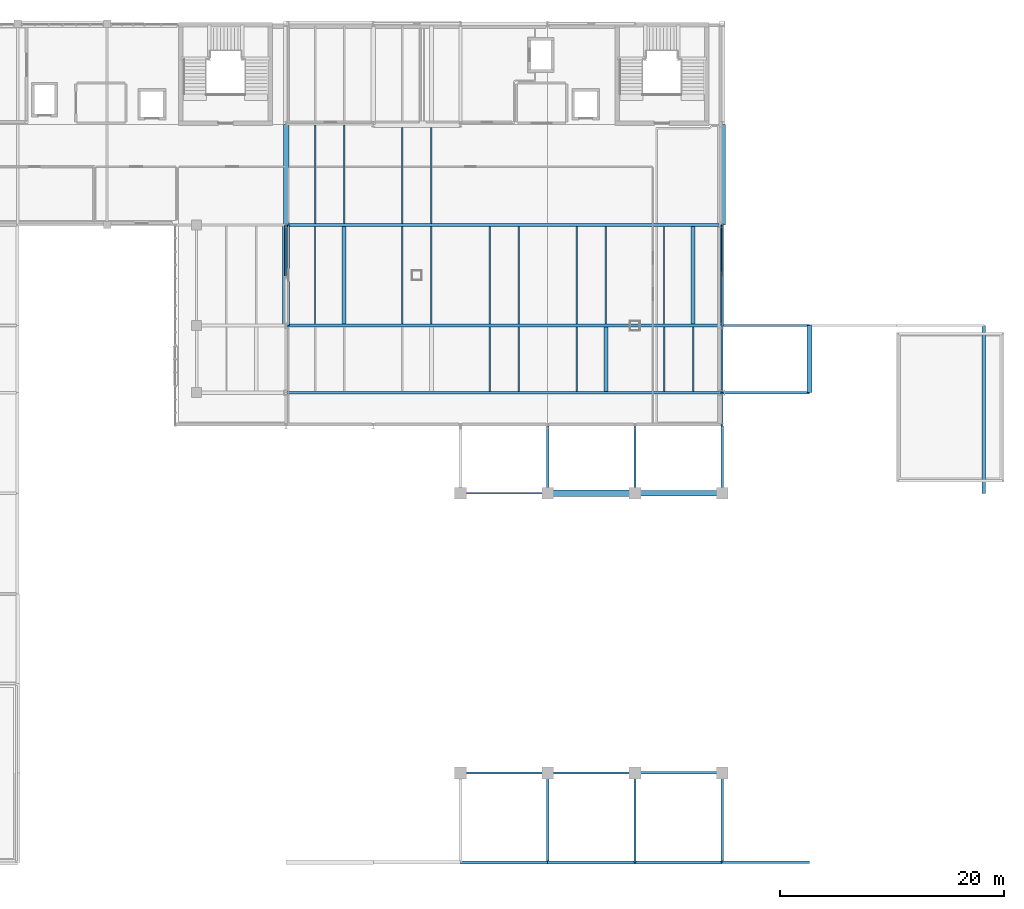
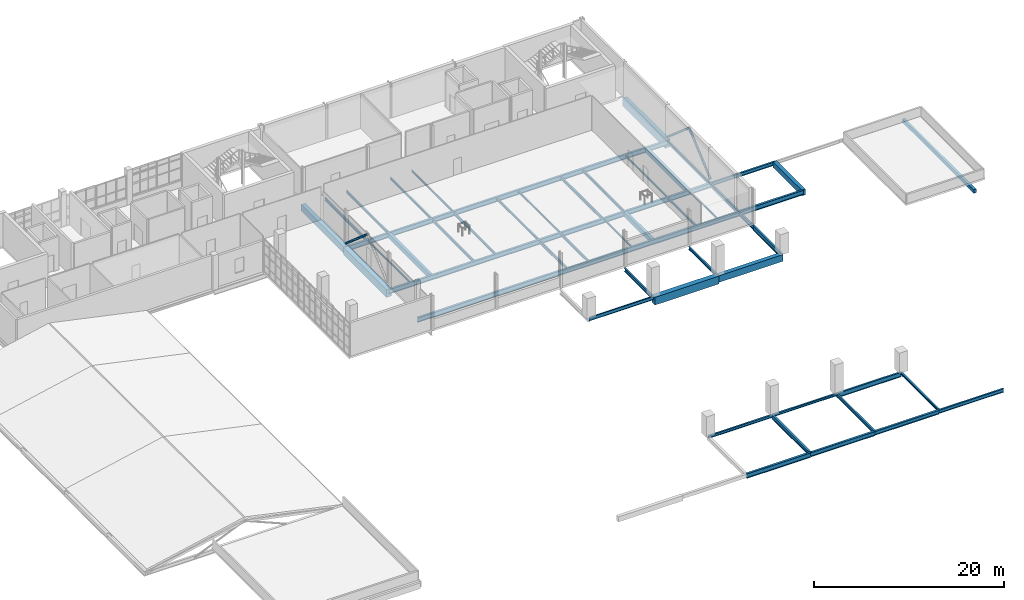
# One storey, part 13 of 38: 49 beams, 3 members.
"""IFC4 building model written with IfcOpenShell, lengths in metres."""

from ifc_helpers import new_model, si_unit, derived_unit, direction, frame, origin, origin_2d, place, context, subcontext, project, spatial, rectangle, hollow_circle, i_section, extrude, material, material_profile, profile_set, type_object, element, save


model = new_model("IFC4")

# Units and contexts
model_context = context("Model", 3, precision=1e-05, world=origin(), true_north=direction((0.0, 1.0)))
body_context = subcontext(model_context, "Body", "Model", "MODEL_VIEW")
ifc_project = project(units=[si_unit("LENGTHUNIT", "METRE"), si_unit("AREAUNIT", "SQUARE_METRE"), si_unit("VOLUMEUNIT", "CUBIC_METRE"), si_unit("PLANEANGLEUNIT", "RADIAN"), si_unit("MASSUNIT", "GRAM", prefix="KILO"), derived_unit("THERMALTRANSMITTANCEUNIT", [(si_unit("POWERUNIT", "WATT"), 1), (si_unit("LENGTHUNIT", "METRE"), -2), (si_unit("THERMODYNAMICTEMPERATUREUNIT", "KELVIN"), -1)])], contexts=[model_context])

# Site, building, storey
site_placement = place(None, origin())
site = spatial("IfcSite", under=ifc_project, at=site_placement, CompositionType="ELEMENT")
building_placement = place(site_placement, origin())
building = spatial("IfcBuilding", under=site, at=building_placement, Name="Nallur Shell Playhouse", CompositionType="ELEMENT")
storey_placement = place(building_placement, frame((0.0, 0.0, 24.300048828125)))
storey = spatial("IfcBuildingStorey", under=building, at=storey_placement, Name="L06", CompositionType="ELEMENT", Elevation=24.300048828125)

# Beams
ifc_material_1 = material(Name="Steel E250", Category="steel")
ifc_material_profile_1 = material_profile(ifc_material_1, i_section(OverallWidth=0.110107421875, OverallDepth=0.22509765625, WebThickness=0.006591796875, FlangeThickness=0.01171875, FilletRadius=0.011962890625, at=origin_2d()), Name="ISMB 225")
ifc_profile_set_1 = profile_set([ifc_material_profile_1], Name="Steel E250")
beam_type_1 = type_object("IfcBeamType", Name="BM-JST-ISMB225", PredefinedType="JOIST", material=ifc_profile_set_1)
beam_1_placement = place(storey_placement, frame((66.60009765625, 56.123046875, -0.362548828125), z_axis=(0.0, 1.0, 0.0), x_axis=(-1.0, 0.0, 0.0)))
element("IfcBeam", 1, at=beam_1_placement, inside=storey, type_object=beam_type_1, Name="L06 secondary joist 8-G-1211", PredefinedType="JOIST", context=body_context, shape_type="SweptSolid", body=[
    extrude(i_section(OverallWidth=0.110107421875, OverallDepth=0.22509765625, WebThickness=0.006591796875, FlangeThickness=0.01171875, FilletRadius=0.011962890625, at=origin_2d()), origin(), (0.0, 0.0, 1.0), 8.75390625),
])
beam_2_placement = place(storey_placement, frame((90.0, 50.123046875, -0.362548828125), z_axis=(0.0, 1.0, 0.0), x_axis=(-1.0, 0.0, 0.0)))
element("IfcBeam", 2, at=beam_2_placement, inside=storey, type_object=beam_type_1, Name="L06 secondary joist 11-F-1229", PredefinedType="JOIST", context=body_context, shape_type="SweptSolid", body=[
    extrude(i_section(OverallWidth=0.110107421875, OverallDepth=0.22509765625, WebThickness=0.006591796875, FlangeThickness=0.01171875, FilletRadius=0.011962890625, at=origin_2d()), origin(), (0.0, 0.0, 1.0), 5.75390625),
])
beam_3_placement = place(storey_placement, frame((97.800048828125, 56.123046875, -0.362548828125), z_axis=(0.0, 1.0, 0.0), x_axis=(-1.0, 0.0, 0.0)))
element("IfcBeam", 3, at=beam_3_placement, inside=storey, type_object=beam_type_1, Name="L06 secondary joist 12-G-1235", PredefinedType="JOIST", context=body_context, shape_type="SweptSolid", body=[
    extrude(i_section(OverallWidth=0.110107421875, OverallDepth=0.22509765625, WebThickness=0.006591796875, FlangeThickness=0.01171875, FilletRadius=0.011962890625, at=origin_2d()), origin(), (0.0, 0.0, 1.0), 8.75390625),
])
ifc_material_profile_2 = material_profile(ifc_material_1, i_section(OverallWidth=0.125, OverallDepth=0.25, WebThickness=0.0068359375, FlangeThickness=0.012451171875, FilletRadius=0.012939453125, at=origin_2d()), Name="ISMB 250")
ifc_profile_set_2 = profile_set([ifc_material_profile_2], Name="Steel E250")
beam_type_2 = type_object("IfcBeamType", Name="BM-JST-ISMB250", PredefinedType="JOIST", material=ifc_profile_set_2)
beam_4_placement = place(storey_placement, frame((77.0, 65.123046875, -0.375), z_axis=(0.0, 1.0, 0.0), x_axis=(-1.0, 0.0, 0.0)))
element("IfcBeam", 4, at=beam_4_placement, inside=storey, type_object=beam_type_2, Name="L06 secondary joist 9-H-1222", PredefinedType="JOIST", context=body_context, shape_type="SweptSolid", body=[
    extrude(i_section(OverallWidth=0.125, OverallDepth=0.25, WebThickness=0.0068359375, FlangeThickness=0.012451171875, FilletRadius=0.012939453125, at=origin_2d()), origin(), (0.0, 0.0, 1.0), 8.578857421875),
])
beam_5_placement = place(storey_placement, frame((84.800048828125, 56.123046875, -0.375), z_axis=(0.0, 1.0, 0.0), x_axis=(-1.0, 0.0, 0.0)))
element("IfcBeam", 5, at=beam_5_placement, inside=storey, type_object=beam_type_2, Name="L06 secondary joist 10-G-1228", PredefinedType="JOIST", context=body_context, shape_type="SweptSolid", body=[
    extrude(i_section(OverallWidth=0.125, OverallDepth=0.25, WebThickness=0.0068359375, FlangeThickness=0.012451171875, FilletRadius=0.012939453125, at=origin_2d()), origin(), (0.0, 0.0, 1.0), 8.75390625),
])
beam_6_placement = place(storey_placement, frame((100.39990234375, 50.123046875, -0.375), z_axis=(0.0, 1.0, 0.0), x_axis=(-1.0, 0.0, 0.0)))
element("IfcBeam", 6, at=beam_6_placement, inside=storey, type_object=beam_type_2, Name="L06 secondary joist 12-F-1234", PredefinedType="JOIST", context=body_context, shape_type="SweptSolid", body=[
    extrude(i_section(OverallWidth=0.125, OverallDepth=0.25, WebThickness=0.0068359375, FlangeThickness=0.012451171875, FilletRadius=0.012939453125, at=origin_2d()), origin(), (0.0, 0.0, 1.0), 5.75390625),
])
ifc_material_profile_3 = material_profile(ifc_material_1, i_section(OverallWidth=0.139892578125, OverallDepth=0.300048828125, WebThickness=0.0078125, FlangeThickness=0.01318359375, FilletRadius=0.013916015625, at=origin_2d()), Name="ISMB 300")
ifc_profile_set_3 = profile_set([ifc_material_profile_3], Name="Steel E250")
beam_type_3 = type_object("IfcBeamType", Name="BM-JST-ISMB300", PredefinedType="JOIST", material=ifc_profile_set_3)
beam_7_placement = place(storey_placement, frame((74.39990234375, 65.123046875, -0.400146484375), z_axis=(0.0, 1.0, 0.0), x_axis=(-1.0, 0.0, 0.0)))
element("IfcBeam", 7, at=beam_7_placement, inside=storey, type_object=beam_type_3, Name="L06 secondary joist 9-H-1221", PredefinedType="JOIST", context=body_context, shape_type="SweptSolid", body=[
    extrude(i_section(OverallWidth=0.139892578125, OverallDepth=0.300048828125, WebThickness=0.0078125, FlangeThickness=0.01318359375, FilletRadius=0.013916015625, at=origin_2d()), origin(), (0.0, 0.0, 1.0), 8.578857421875),
])
beam_8_placement = place(storey_placement, frame((82.199951171875, 56.123046875, -0.400146484375), z_axis=(0.0, 1.0, 0.0), x_axis=(-1.0, 0.0, 0.0)))
element("IfcBeam", 8, at=beam_8_placement, inside=storey, type_object=beam_type_3, Name="L06 secondary joist 10-G-1227", PredefinedType="JOIST", context=body_context, shape_type="SweptSolid", body=[
    extrude(i_section(OverallWidth=0.139892578125, OverallDepth=0.300048828125, WebThickness=0.0078125, FlangeThickness=0.01318359375, FilletRadius=0.013916015625, at=origin_2d()), origin(), (0.0, 0.0, 1.0), 8.75390625),
])
beam_9_placement = place(storey_placement, frame((97.800048828125, 50.123046875, -0.400146484375), z_axis=(0.0, 1.0, 0.0), x_axis=(-1.0, 0.0, 0.0)))
element("IfcBeam", 9, at=beam_9_placement, inside=storey, type_object=beam_type_3, Name="L06 secondary joist 12-F-1233", PredefinedType="JOIST", context=body_context, shape_type="SweptSolid", body=[
    extrude(i_section(OverallWidth=0.139892578125, OverallDepth=0.300048828125, WebThickness=0.0078125, FlangeThickness=0.01318359375, FilletRadius=0.013916015625, at=origin_2d()), origin(), (0.0, 0.0, 1.0), 5.75390625),
])
ifc_material_profile_4 = material_profile(ifc_material_1, i_section(OverallWidth=0.139892578125, OverallDepth=0.35009765625, WebThickness=0.008056640625, FlangeThickness=0.01416015625, FilletRadius=0.013916015625, at=origin_2d()), Name="ISMB 350")
ifc_profile_set_4 = profile_set([ifc_material_profile_4], Name="Steel E250")
beam_type_4 = type_object("IfcBeamType", Name="BM-JST-ISMB350", PredefinedType="JOIST", material=ifc_profile_set_4)
beam_10_placement = place(storey_placement, frame((69.199951171875, 65.123046875, -0.425048828125), z_axis=(0.0, 1.0, 0.0), x_axis=(-1.0, 0.0, 0.0)))
element("IfcBeam", 10, at=beam_10_placement, inside=storey, type_object=beam_type_4, Name="L06 secondary joist 8-H-1214", PredefinedType="JOIST", context=body_context, shape_type="SweptSolid", body=[
    extrude(i_section(OverallWidth=0.139892578125, OverallDepth=0.35009765625, WebThickness=0.008056640625, FlangeThickness=0.01416015625, FilletRadius=0.013916015625, at=origin_2d()), origin(), (0.0, 0.0, 1.0), 8.803955078125),
])
beam_11_placement = place(storey_placement, frame((77.0, 56.123046875, -0.425048828125), z_axis=(0.0, 1.0, 0.0), x_axis=(-1.0, 0.0, 0.0)))
element("IfcBeam", 11, at=beam_11_placement, inside=storey, type_object=beam_type_4, Name="L06 secondary joist 9-G-1220", PredefinedType="JOIST", context=body_context, shape_type="SweptSolid", body=[
    extrude(i_section(OverallWidth=0.139892578125, OverallDepth=0.35009765625, WebThickness=0.008056640625, FlangeThickness=0.01416015625, FilletRadius=0.013916015625, at=origin_2d()), origin(), (0.0, 0.0, 1.0), 8.75390625),
])
beam_12_placement = place(storey_placement, frame((84.800048828125, 50.123046875, -0.425048828125), z_axis=(0.0, 1.0, 0.0), x_axis=(-1.0, 0.0, 0.0)))
element("IfcBeam", 12, at=beam_12_placement, inside=storey, type_object=beam_type_4, Name="L06 secondary joist 10-F-1226", PredefinedType="JOIST", context=body_context, shape_type="SweptSolid", body=[
    extrude(i_section(OverallWidth=0.139892578125, OverallDepth=0.35009765625, WebThickness=0.008056640625, FlangeThickness=0.01416015625, FilletRadius=0.013916015625, at=origin_2d()), origin(), (0.0, 0.0, 1.0), 5.75390625),
])
beam_13_placement = place(storey_placement, frame((92.60009765625, 56.123046875, -0.425048828125), z_axis=(0.0, 1.0, 0.0), x_axis=(-1.0, 0.0, 0.0)))
element("IfcBeam", 13, at=beam_13_placement, inside=storey, type_object=beam_type_4, Name="L06 secondary joist 11-G-1232", PredefinedType="JOIST", context=body_context, shape_type="SweptSolid", body=[
    extrude(i_section(OverallWidth=0.139892578125, OverallDepth=0.35009765625, WebThickness=0.008056640625, FlangeThickness=0.01416015625, FilletRadius=0.013916015625, at=origin_2d()), origin(), (0.0, 0.0, 1.0), 8.75390625),
])
ifc_material_profile_5 = material_profile(ifc_material_1, i_section(OverallWidth=0.139892578125, OverallDepth=0.39990234375, WebThickness=0.0087890625, FlangeThickness=0.01611328125, FilletRadius=0.013916015625, at=origin_2d()), Name="ISMB 400")
ifc_profile_set_5 = profile_set([ifc_material_profile_5], Name="Steel E250")
beam_type_5 = type_object("IfcBeamType", Name="BM-JST-ISMB400", PredefinedType="JOIST", material=ifc_profile_set_5)
beam_14_placement = place(storey_placement, frame((66.60009765625, 65.123046875, -0.449951171875), z_axis=(0.0, 1.0, 0.0), x_axis=(-1.0, 0.0, 0.0)))
element("IfcBeam", 14, at=beam_14_placement, inside=storey, type_object=beam_type_5, Name="L06 secondary joist 8-H-1213", PredefinedType="JOIST", context=body_context, shape_type="SweptSolid", body=[
    extrude(i_section(OverallWidth=0.139892578125, OverallDepth=0.39990234375, WebThickness=0.0087890625, FlangeThickness=0.01611328125, FilletRadius=0.013916015625, at=origin_2d()), origin(), (0.0, 0.0, 1.0), 8.803955078125),
])
beam_15_placement = place(storey_placement, frame((74.39990234375, 56.123046875, -0.449951171875), z_axis=(0.0, 1.0, 0.0), x_axis=(-1.0, 0.0, 0.0)))
element("IfcBeam", 15, at=beam_15_placement, inside=storey, type_object=beam_type_5, Name="L06 secondary joist 9-G-1219", PredefinedType="JOIST", context=body_context, shape_type="SweptSolid", body=[
    extrude(i_section(OverallWidth=0.139892578125, OverallDepth=0.39990234375, WebThickness=0.0087890625, FlangeThickness=0.01611328125, FilletRadius=0.013916015625, at=origin_2d()), origin(), (0.0, 0.0, 1.0), 8.75390625),
])
beam_16_placement = place(storey_placement, frame((82.199951171875, 50.123046875, -0.449951171875), z_axis=(0.0, 1.0, 0.0), x_axis=(-1.0, 0.0, 0.0)))
element("IfcBeam", 16, at=beam_16_placement, inside=storey, type_object=beam_type_5, Name="L06 secondary joist 10-F-1225", PredefinedType="JOIST", context=body_context, shape_type="SweptSolid", body=[
    extrude(i_section(OverallWidth=0.139892578125, OverallDepth=0.39990234375, WebThickness=0.0087890625, FlangeThickness=0.01611328125, FilletRadius=0.013916015625, at=origin_2d()), origin(), (0.0, 0.0, 1.0), 5.75390625),
])
beam_17_placement = place(storey_placement, frame((90.0, 56.123046875, -0.449951171875), z_axis=(0.0, 1.0, 0.0), x_axis=(-1.0, 0.0, 0.0)))
element("IfcBeam", 17, at=beam_17_placement, inside=storey, type_object=beam_type_5, Name="L06 secondary joist 11-G-1231", PredefinedType="JOIST", context=body_context, shape_type="SweptSolid", body=[
    extrude(i_section(OverallWidth=0.139892578125, OverallDepth=0.39990234375, WebThickness=0.0087890625, FlangeThickness=0.01611328125, FilletRadius=0.013916015625, at=origin_2d()), origin(), (0.0, 0.0, 1.0), 8.75390625),
])
ifc_material_2 = material(Name="Concrete M30", Category="concrete")
ifc_material_profile_6 = material_profile(ifc_material_2, rectangle(XDim=0.35009765625, YDim=0.60009765625, at=origin_2d()), Name="RC 350x600")
ifc_profile_set_6 = profile_set([ifc_material_profile_6], Name="Concrete M30")
beam_type_6 = type_object("IfcBeamType", Name="BM-RC-350x600", PredefinedType="JOIST", material=ifc_profile_set_6)
beam_18_placement = place(storey_placement, frame((69.199951171875, 56.123046875, -0.550048828125), z_axis=(0.0, 1.0, 0.0), x_axis=(-1.0, 0.0, 0.0)))
element("IfcBeam", 18, at=beam_18_placement, inside=storey, type_object=beam_type_6, Name="L06 secondary joist 8-G-1212", PredefinedType="JOIST", context=body_context, shape_type="SweptSolid", body=[
    extrude(rectangle(XDim=0.35009765625, YDim=0.60009765625, at=origin_2d()), origin(), (0.0, 0.0, 1.0), 8.75390625),
])
beam_19_placement = place(storey_placement, frame((92.60009765625, 50.123046875, -0.550048828125), z_axis=(0.0, 1.0, 0.0), x_axis=(-1.0, 0.0, 0.0)))
element("IfcBeam", 19, at=beam_19_placement, inside=storey, type_object=beam_type_6, Name="L06 secondary joist 11-F-1230", PredefinedType="JOIST", context=body_context, shape_type="SweptSolid", body=[
    extrude(rectangle(XDim=0.35009765625, YDim=0.60009765625, at=origin_2d()), origin(), (0.0, 0.0, 1.0), 5.75390625),
])
beam_20_placement = place(storey_placement, frame((100.39990234375, 56.123046875, -0.550048828125), z_axis=(0.0, 1.0, 0.0), x_axis=(-1.0, 0.0, 0.0)))
element("IfcBeam", 20, at=beam_20_placement, inside=storey, type_object=beam_type_6, Name="L06 secondary joist 12-G-1236", PredefinedType="JOIST", context=body_context, shape_type="SweptSolid", body=[
    extrude(rectangle(XDim=0.35009765625, YDim=0.60009765625, at=origin_2d()), origin(), (0.0, 0.0, 1.0), 8.75390625),
])
ifc_material_3 = material(Name="Concrete M35", Category="concrete")
ifc_material_profile_7 = material_profile(ifc_material_3, rectangle(XDim=0.449951171875, YDim=0.75, at=origin_2d()), Name="RC 450x750")
ifc_profile_set_7 = profile_set([ifc_material_profile_7], Name="Concrete M35")
beam_type_7 = type_object("IfcBeamType", Name="BM-RC-450x750", PredefinedType="BEAM", material=ifc_profile_set_7)
beam_21_placement = place(storey_placement, frame((110.800048828125, 50.0, -0.625), z_axis=(0.0, 1.0, 0.0), x_axis=(-1.0, 0.0, 0.0)))
element("IfcBeam", 21, at=beam_21_placement, inside=storey, type_object=beam_type_7, Name="L06 girder Y-14-1198", PredefinedType="BEAM", context=body_context, shape_type="SweptSolid", body=[
    extrude(rectangle(XDim=0.449951171875, YDim=0.75, at=origin_2d()), origin(), (0.0, 0.0, 1.0), 6.0),
])
ifc_material_4 = material(Name="Concrete M40", Category="concrete")
ifc_material_profile_8 = material_profile(ifc_material_4, rectangle(XDim=0.5, YDim=0.85009765625, at=origin_2d()), Name="RC 500x850")
ifc_profile_set_8 = profile_set([ifc_material_profile_8], Name="Concrete M40")
beam_type_8 = type_object("IfcBeamType", Name="BM-RC-500x850", PredefinedType="BEAM", material=ifc_profile_set_8)
beam_22_placement = place(storey_placement, frame((95.199951171875, 41.0, -0.675048828125), z_axis=(1.0, 0.0, 0.0), x_axis=(0.0, 1.0, 0.0)))
element("IfcBeam", 22, at=beam_22_placement, inside=storey, type_object=beam_type_8, Name="L06 girder X-E-1133", PredefinedType="BEAM", context=body_context, shape_type="SweptSolid", body=[
    extrude(rectangle(XDim=0.5, YDim=0.85009765625, at=origin_2d()), origin(), (0.0, 0.0, 1.0), 7.800048828125),
])
beam_23_placement = place(storey_placement, frame((64.0, 65.0, -0.675048828125), z_axis=(0.0, 1.0, 0.0), x_axis=(-1.0, 0.0, 0.0)))
element("IfcBeam", 23, at=beam_23_placement, inside=storey, type_object=beam_type_8, Name="L06 girder Y-8-1181", PredefinedType="BEAM", context=body_context, shape_type="SweptSolid", body=[
    extrude(rectangle(XDim=0.5, YDim=0.85009765625, at=origin_2d()), origin(), (0.0, 0.0, 1.0), 9.0),
])
ifc_material_profile_9 = material_profile(ifc_material_4, rectangle(XDim=0.60009765625, YDim=1.0, at=origin_2d()), Name="RC 600x1000")
ifc_profile_set_9 = profile_set([ifc_material_profile_9], Name="Concrete M40")
beam_type_9 = type_object("IfcBeamType", Name="BM-RC-600x1000", PredefinedType="BEAM", material=ifc_profile_set_9)
beam_24_placement = place(storey_placement, frame((87.39990234375, 41.0, -0.75), z_axis=(1.0, 0.0, 0.0), x_axis=(0.0, 1.0, 0.0)))
element("IfcBeam", 24, at=beam_24_placement, inside=storey, type_object=beam_type_9, Name="L06 girder X-E-1132", PredefinedType="BEAM", context=body_context, shape_type="SweptSolid", body=[
    extrude(rectangle(XDim=0.60009765625, YDim=1.0, at=origin_2d()), origin(), (0.0, 0.0, 1.0), 7.800048828125),
])
for number, where, z_axis, x_axis, name in (
    (25, (64.0, 56.0, -0.75), (0.0, 1.0, 0.0), (-1.0, 0.0, 0.0), "L06 girder Y-8-1180"),
    (26, (103.0, 65.0, -0.75), (0.0, 1.0, 0.0), (-1.0, 0.0, 0.0), "L06 girder Y-13-1196"),
):
    element("IfcBeam", number, at=place(storey_placement, frame(where, z_axis=z_axis, x_axis=x_axis)), inside=storey, type_object=beam_type_9, Name=name, PredefinedType="BEAM", context=body_context, shape_type="SweptSolid", body=[
        extrude(rectangle(XDim=0.60009765625, YDim=1.0, at=origin_2d()), origin(), (0.0, 0.0, 1.0), 9.0),
    ])
ifc_material_profile_10 = material_profile(ifc_material_3, rectangle(XDim=0.300048828125, YDim=0.449951171875, at=origin_2d()), Name="RC 300x450")
ifc_profile_set_10 = profile_set([ifc_material_profile_10], Name="Concrete M35")
beam_type_10 = type_object("IfcBeamType", Name="BM-SPN-300x450", PredefinedType="SPANDREL", material=ifc_profile_set_10)
beam_25_placement = place(storey_placement, frame((126.39990234375, 41.0, -0.47509765625), z_axis=(0.0, 1.0, 0.0), x_axis=(-1.0, 0.0, 0.0)))
element("IfcBeam", 27, at=beam_25_placement, inside=storey, type_object=beam_type_10, Name="L06 girder Y-16-1200", PredefinedType="SPANDREL", context=body_context, shape_type="SweptSolid", body=[
    extrude(rectangle(XDim=0.300048828125, YDim=0.449951171875, at=origin_2d()), origin(), (0.0, 0.0, 1.0), 15.0),
])
ifc_material_5 = material(Name="Steel E350", Category="steel")
ifc_material_profile_11 = material_profile(ifc_material_5, i_section(OverallWidth=0.14990234375, OverallDepth=0.449951171875, WebThickness=0.009521484375, FlangeThickness=0.017333984375, FilletRadius=0.014892578125, at=origin_2d()), Name="ISMB 450")
ifc_profile_set_11 = profile_set([ifc_material_profile_11], Name="Steel E350")
beam_type_11 = type_object("IfcBeamType", Name="BM-ST-ISMB450", PredefinedType="BEAM", material=ifc_profile_set_11)
beam_26_placement = place(storey_placement, frame((79.60009765625, 41.0, -0.47509765625), z_axis=(1.0, 0.0, 0.0), x_axis=(0.0, 1.0, 0.0)))
element("IfcBeam", 28, at=beam_26_placement, inside=storey, type_object=beam_type_11, Name="L06 girder X-E-1131", PredefinedType="BEAM", context=body_context, shape_type="SweptSolid", body=[
    extrude(i_section(OverallWidth=0.14990234375, OverallDepth=0.449951171875, WebThickness=0.009521484375, FlangeThickness=0.017333984375, FilletRadius=0.014892578125, at=origin_2d()), origin(), (0.0, 0.0, 1.0), 7.7998046875),
])
beam_27_placement = place(storey_placement, frame((103.0, 56.0, -0.47509765625), z_axis=(0.0, 1.0, 0.0), x_axis=(-1.0, 0.0, 0.0)))
element("IfcBeam", 29, at=beam_27_placement, inside=storey, type_object=beam_type_11, Name="L06 girder Y-13-1195", PredefinedType="BEAM", context=body_context, shape_type="SweptSolid", body=[
    extrude(i_section(OverallWidth=0.14990234375, OverallDepth=0.449951171875, WebThickness=0.009521484375, FlangeThickness=0.017333984375, FilletRadius=0.014892578125, at=origin_2d()), origin(), (0.0, 0.0, 1.0), 9.0),
])
ifc_material_profile_12 = material_profile(ifc_material_5, i_section(OverallWidth=0.179931640625, OverallDepth=0.5, WebThickness=0.01025390625, FlangeThickness=0.01708984375, FilletRadius=0.01708984375, at=origin_2d()), Name="ISMB 500")
ifc_profile_set_12 = profile_set([ifc_material_profile_12], Name="Steel E350")
beam_type_12 = type_object("IfcBeamType", Name="BM-ST-ISMB500", PredefinedType="BEAM", material=ifc_profile_set_12)
beam_28_placement = place(storey_placement, frame((103.0, 50.0, -0.5), z_axis=(0.0, 1.0, 0.0), x_axis=(-1.0, 0.0, 0.0)))
element("IfcBeam", 30, at=beam_28_placement, inside=storey, type_object=beam_type_12, Name="L06 girder Y-13-1194", PredefinedType="BEAM", context=body_context, shape_type="SweptSolid", body=[
    extrude(i_section(OverallWidth=0.179931640625, OverallDepth=0.5, WebThickness=0.01025390625, FlangeThickness=0.01708984375, FilletRadius=0.01708984375, at=origin_2d()), origin(), (0.0, 0.0, 1.0), 6.0),
])
ifc_material_profile_13 = material_profile(ifc_material_5, i_section(OverallWidth=0.18994140625, OverallDepth=0.550048828125, WebThickness=0.01123046875, FlangeThickness=0.019287109375, FilletRadius=0.01806640625, at=origin_2d()), Name="ISMB 550")
ifc_profile_set_13 = profile_set([ifc_material_profile_13], Name="Steel E350")
beam_type_13 = type_object("IfcBeamType", Name="BM-ST-ISMB550", PredefinedType="BEAM", material=ifc_profile_set_13)
beam_29_placement = place(storey_placement, frame((103.0, 47.0, -0.525146484375), z_axis=(0.0, 1.0, 0.0), x_axis=(-1.0, 0.0, 0.0)))
element("IfcBeam", 31, at=beam_29_placement, inside=storey, type_object=beam_type_13, Name="L06 girder Y-13-1193", PredefinedType="BEAM", context=body_context, shape_type="SweptSolid", body=[
    extrude(i_section(OverallWidth=0.18994140625, OverallDepth=0.550048828125, WebThickness=0.01123046875, FlangeThickness=0.019287109375, FilletRadius=0.01806640625, at=origin_2d()), origin(), (0.0, 0.0, 1.0), 3.0),
])
ifc_material_profile_14 = material_profile(ifc_material_5, i_section(OverallWidth=0.2099609375, OverallDepth=0.60009765625, WebThickness=0.011962890625, FlangeThickness=0.020751953125, FilletRadius=0.02001953125, at=origin_2d()), Name="ISMB 600")
ifc_profile_set_14 = profile_set([ifc_material_profile_14], Name="Steel E350")
beam_type_14 = type_object("IfcBeamType", Name="BM-ST-ISMB600", PredefinedType="BEAM", material=ifc_profile_set_14)
beam_30_placement = place(storey_placement, frame((95.199951171875, 16.0, -0.550048828125), z_axis=(1.0, 0.0, 0.0), x_axis=(0.0, 1.0, 0.0)))
element("IfcBeam", 32, at=beam_30_placement, inside=storey, type_object=beam_type_14, Name="L06 girder X-B-1128", PredefinedType="BEAM", context=body_context, shape_type="SweptSolid", body=[
    extrude(i_section(OverallWidth=0.2099609375, OverallDepth=0.60009765625, WebThickness=0.011962890625, FlangeThickness=0.020751953125, FilletRadius=0.02001953125, at=origin_2d()), origin(), (0.0, 0.0, 1.0), 7.800048828125),
])
beam_31_placement = place(storey_placement, frame((103.0, 41.0, -0.550048828125), z_axis=(0.0, 1.0, 0.0), x_axis=(-1.0, 0.0, 0.0)))
element("IfcBeam", 33, at=beam_31_placement, inside=storey, type_object=beam_type_14, Name="L06 girder Y-13-1192", PredefinedType="BEAM", context=body_context, shape_type="SweptSolid", body=[
    extrude(i_section(OverallWidth=0.2099609375, OverallDepth=0.60009765625, WebThickness=0.011962890625, FlangeThickness=0.020751953125, FilletRadius=0.02001953125, at=origin_2d()), origin(), (0.0, 0.0, 1.0), 6.0),
])
ifc_material_profile_15 = material_profile(ifc_material_1, i_section(OverallWidth=0.199951171875, OverallDepth=0.300048828125, WebThickness=0.00732421875, FlangeThickness=0.010009765625, FilletRadius=0.010986328125, at=origin_2d()), Name="ISWB 300")
ifc_profile_set_15 = profile_set([ifc_material_profile_15], Name="Steel E250")
beam_type_15 = type_object("IfcBeamType", Name="BM-ST-ISWB300", PredefinedType="BEAM", material=ifc_profile_set_15)
beam_32_placement = place(storey_placement, frame((87.39990234375, 16.0, -0.400146484375), z_axis=(1.0, 0.0, 0.0), x_axis=(0.0, 1.0, 0.0)))
element("IfcBeam", 34, at=beam_32_placement, inside=storey, type_object=beam_type_15, Name="L06 girder X-B-1127", PredefinedType="BEAM", context=body_context, shape_type="SweptSolid", body=[
    extrude(i_section(OverallWidth=0.199951171875, OverallDepth=0.300048828125, WebThickness=0.00732421875, FlangeThickness=0.010009765625, FilletRadius=0.010986328125, at=origin_2d()), origin(), (0.0, 0.0, 1.0), 7.800048828125),
])
beam_33_placement = place(storey_placement, frame((103.0, 8.0, -0.400146484375), z_axis=(0.0, 1.0, 0.0), x_axis=(-1.0, 0.0, 0.0)))
element("IfcBeam", 35, at=beam_33_placement, inside=storey, type_object=beam_type_15, Name="L06 girder Y-13-1191", PredefinedType="BEAM", context=body_context, shape_type="SweptSolid", body=[
    extrude(i_section(OverallWidth=0.199951171875, OverallDepth=0.300048828125, WebThickness=0.00732421875, FlangeThickness=0.010009765625, FilletRadius=0.010986328125, at=origin_2d()), origin(), (0.0, 0.0, 1.0), 8.0),
])
ifc_material_profile_16 = material_profile(ifc_material_5, i_section(OverallWidth=0.199951171875, OverallDepth=0.35009765625, WebThickness=0.008056640625, FlangeThickness=0.011474609375, FilletRadius=0.011962890625, at=origin_2d()), Name="ISWB 350")
ifc_profile_set_16 = profile_set([ifc_material_profile_16], Name="Steel E350")
beam_type_16 = type_object("IfcBeamType", Name="BM-ST-ISWB350", PredefinedType="BEAM", material=ifc_profile_set_16)
beam_34_placement = place(storey_placement, frame((79.60009765625, 16.0, -0.425048828125), z_axis=(1.0, 0.0, 0.0), x_axis=(0.0, 1.0, 0.0)))
element("IfcBeam", 36, at=beam_34_placement, inside=storey, type_object=beam_type_16, Name="L06 girder X-B-1126", PredefinedType="BEAM", context=body_context, shape_type="SweptSolid", body=[
    extrude(i_section(OverallWidth=0.199951171875, OverallDepth=0.35009765625, WebThickness=0.008056640625, FlangeThickness=0.011474609375, FilletRadius=0.011962890625, at=origin_2d()), origin(), (0.0, 0.0, 1.0), 7.7998046875),
])
beam_35_placement = place(storey_placement, frame((95.199951171875, 41.0, -0.425048828125), z_axis=(0.0, 1.0, 0.0), x_axis=(-1.0, 0.0, 0.0)))
element("IfcBeam", 37, at=beam_35_placement, inside=storey, type_object=beam_type_16, Name="L06 girder Y-12-1190", PredefinedType="BEAM", context=body_context, shape_type="SweptSolid", body=[
    extrude(i_section(OverallWidth=0.199951171875, OverallDepth=0.35009765625, WebThickness=0.008056640625, FlangeThickness=0.011474609375, FilletRadius=0.011962890625, at=origin_2d()), origin(), (0.0, 0.0, 1.0), 6.0),
])
ifc_material_profile_17 = material_profile(ifc_material_5, i_section(OverallWidth=0.199951171875, OverallDepth=0.39990234375, WebThickness=0.008544921875, FlangeThickness=0.012939453125, FilletRadius=0.012939453125, at=origin_2d()), Name="ISWB 400")
ifc_profile_set_17 = profile_set([ifc_material_profile_17], Name="Steel E350")
beam_type_17 = type_object("IfcBeamType", Name="BM-ST-ISWB400", PredefinedType="BEAM", material=ifc_profile_set_17)
beam_36_placement = place(storey_placement, frame((95.199951171875, 8.0, -0.449951171875), z_axis=(0.0, 1.0, 0.0), x_axis=(-1.0, 0.0, 0.0)))
element("IfcBeam", 38, at=beam_36_placement, inside=storey, type_object=beam_type_17, Name="L06 girder Y-12-1189", PredefinedType="BEAM", context=body_context, shape_type="SweptSolid", body=[
    extrude(i_section(OverallWidth=0.199951171875, OverallDepth=0.39990234375, WebThickness=0.008544921875, FlangeThickness=0.012939453125, FilletRadius=0.012939453125, at=origin_2d()), origin(), (0.0, 0.0, 1.0), 8.0),
])
ifc_material_profile_18 = material_profile(ifc_material_5, i_section(OverallWidth=0.199951171875, OverallDepth=0.449951171875, WebThickness=0.00927734375, FlangeThickness=0.015380859375, FilletRadius=0.013916015625, at=origin_2d()), Name="ISWB 450")
ifc_profile_set_18 = profile_set([ifc_material_profile_18], Name="Steel E350")
beam_type_18 = type_object("IfcBeamType", Name="BM-ST-ISWB450", PredefinedType="BEAM", material=ifc_profile_set_18)
for number, where, z_axis, x_axis, name in (
    (39, (103.0, 8.0, -0.47509765625), (1.0, 0.0, 0.0), (0.0, 1.0, 0.0), "L06 girder X-A-1124"),
    (40, (103.0, 56.0, -0.47509765625), (1.0, 0.0, 0.0), (0.0, 1.0, 0.0), "L06 girder X-G-1140"),
):
    element("IfcBeam", number, at=place(storey_placement, frame(where, z_axis=z_axis, x_axis=x_axis)), inside=storey, type_object=beam_type_18, Name=name, PredefinedType="BEAM", context=body_context, shape_type="SweptSolid", body=[
        extrude(i_section(OverallWidth=0.199951171875, OverallDepth=0.449951171875, WebThickness=0.00927734375, FlangeThickness=0.015380859375, FilletRadius=0.013916015625, at=origin_2d()), origin(), (0.0, 0.0, 1.0), 7.800048828125),
    ])
beam_37_placement = place(storey_placement, frame((87.39990234375, 41.0, -0.47509765625), z_axis=(0.0, 1.0, 0.0), x_axis=(-1.0, 0.0, 0.0)))
element("IfcBeam", 41, at=beam_37_placement, inside=storey, type_object=beam_type_18, Name="L06 girder Y-11-1188", PredefinedType="BEAM", context=body_context, shape_type="SweptSolid", body=[
    extrude(i_section(OverallWidth=0.199951171875, OverallDepth=0.449951171875, WebThickness=0.00927734375, FlangeThickness=0.015380859375, FilletRadius=0.013916015625, at=origin_2d()), origin(), (0.0, 0.0, 1.0), 6.0),
])
ifc_material_profile_19 = material_profile(ifc_material_5, i_section(OverallWidth=0.25, OverallDepth=0.5, WebThickness=0.010009765625, FlangeThickness=0.0146484375, FilletRadius=0.014892578125, at=origin_2d()), Name="ISWB 500")
ifc_profile_set_19 = profile_set([ifc_material_profile_19], Name="Steel E350")
beam_type_19 = type_object("IfcBeamType", Name="BM-ST-ISWB500", PredefinedType="BEAM", material=ifc_profile_set_19)
beam_38_placement = place(storey_placement, frame((95.199951171875, 8.0, -0.5), z_axis=(1.0, 0.0, 0.0), x_axis=(0.0, 1.0, 0.0)))
element("IfcBeam", 42, at=beam_38_placement, inside=storey, type_object=beam_type_19, Name="L06 girder X-A-1123", PredefinedType="BEAM", context=body_context, shape_type="SweptSolid", body=[
    extrude(i_section(OverallWidth=0.25, OverallDepth=0.5, WebThickness=0.010009765625, FlangeThickness=0.0146484375, FilletRadius=0.014892578125, at=origin_2d()), origin(), (0.0, 0.0, 1.0), 7.800048828125),
])
beam_39_placement = place(storey_placement, frame((87.39990234375, 8.0, -0.5), z_axis=(0.0, 1.0, 0.0), x_axis=(-1.0, 0.0, 0.0)))
element("IfcBeam", 43, at=beam_39_placement, inside=storey, type_object=beam_type_19, Name="L06 girder Y-11-1187", PredefinedType="BEAM", context=body_context, shape_type="SweptSolid", body=[
    extrude(i_section(OverallWidth=0.25, OverallDepth=0.5, WebThickness=0.010009765625, FlangeThickness=0.0146484375, FilletRadius=0.014892578125, at=origin_2d()), origin(), (0.0, 0.0, 1.0), 8.0),
])
ifc_material_profile_20 = material_profile(ifc_material_5, i_section(OverallWidth=0.25, OverallDepth=0.550048828125, WebThickness=0.010498046875, FlangeThickness=0.017578125, FilletRadius=0.01611328125, at=origin_2d()), Name="ISWB 550")
ifc_profile_set_20 = profile_set([ifc_material_profile_20], Name="Steel E350")
beam_type_20 = type_object("IfcBeamType", Name="BM-ST-ISWB550", PredefinedType="BEAM", material=ifc_profile_set_20)
beam_40_placement = place(storey_placement, frame((87.39990234375, 8.0, -0.525146484375), z_axis=(1.0, 0.0, 0.0), x_axis=(0.0, 1.0, 0.0)))
element("IfcBeam", 44, at=beam_40_placement, inside=storey, type_object=beam_type_20, Name="L06 girder X-A-1122", PredefinedType="BEAM", context=body_context, shape_type="SweptSolid", body=[
    extrude(i_section(OverallWidth=0.25, OverallDepth=0.550048828125, WebThickness=0.010498046875, FlangeThickness=0.017578125, FilletRadius=0.01611328125, at=origin_2d()), origin(), (0.0, 0.0, 1.0), 7.800048828125),
])
ifc_material_profile_21 = material_profile(ifc_material_5, i_section(OverallWidth=0.25, OverallDepth=0.60009765625, WebThickness=0.01171875, FlangeThickness=0.023681640625, FilletRadius=0.01708984375, at=origin_2d()), Name="ISWB 600")
ifc_profile_set_21 = profile_set([ifc_material_profile_21], Name="Steel E350")
beam_type_21 = type_object("IfcBeamType", Name="BM-ST-ISWB600", PredefinedType="BEAM", material=ifc_profile_set_21)
beam_41_placement = place(storey_placement, frame((79.60009765625, 8.0, -0.550048828125), z_axis=(1.0, 0.0, 0.0), x_axis=(0.0, 1.0, 0.0)))
element("IfcBeam", 45, at=beam_41_placement, inside=storey, type_object=beam_type_21, Name="L06 girder X-A-1121", PredefinedType="BEAM", context=body_context, shape_type="SweptSolid", body=[
    extrude(i_section(OverallWidth=0.25, OverallDepth=0.60009765625, WebThickness=0.01171875, FlangeThickness=0.023681640625, FilletRadius=0.01708984375, at=origin_2d()), origin(), (0.0, 0.0, 1.0), 7.7998046875),
])
beam_42_placement = place(storey_placement, frame((103.0, 50.0, -0.550048828125), z_axis=(1.0, 0.0, 0.0), x_axis=(0.0, 1.0, 0.0)))
element("IfcBeam", 46, at=beam_42_placement, inside=storey, type_object=beam_type_21, Name="L06 girder X-F-1137", PredefinedType="BEAM", context=body_context, shape_type="SweptSolid", body=[
    extrude(i_section(OverallWidth=0.25, OverallDepth=0.60009765625, WebThickness=0.01171875, FlangeThickness=0.023681640625, FilletRadius=0.01708984375, at=origin_2d()), origin(), (0.0, 0.0, 1.0), 7.800048828125),
])
for number, where, z_axis, x_axis, name in (
    (47, (64.0, 50.0, -0.550048828125), (1.0, 0.0, 0.0), (0.0, 1.0, 0.0), "L06 long-span hall girder Y=50.0-1202"),
    (48, (64.0, 56.0, -0.550048828125), (1.0, 0.0, 0.0), (0.0, 1.0, 0.0), "L06 long-span hall girder Y=56.0-1203"),
    (49, (64.0, 65.0, -0.550048828125), (1.0, 0.0, 0.0), (0.0, 1.0, 0.0), "L06 long-span hall girder Y=65.0-1204"),
):
    element("IfcBeam", number, at=place(storey_placement, frame(where, z_axis=z_axis, x_axis=x_axis)), inside=storey, type_object=beam_type_21, Name=name, PredefinedType="BEAM", context=body_context, shape_type="SweptSolid", body=[
        extrude(i_section(OverallWidth=0.25, OverallDepth=0.60009765625, WebThickness=0.01171875, FlangeThickness=0.023681640625, FilletRadius=0.01708984375, at=origin_2d()), origin(), (0.0, 0.0, 1.0), 39.0),
    ])

# Members
ifc_material_profile_22 = material_profile(ifc_material_5, hollow_circle(Radius=0.136474609375, WallThickness=0.011962890625, at=origin_2d()), Name="CHS 273.0x12")
ifc_profile_set_22 = profile_set([ifc_material_profile_22], Name="Steel E350")
member_type = type_object("IfcMemberType", Name="MB-FT-BRACE3", PredefinedType="BRACE", material=ifc_profile_set_22)
for number, where, z_axis, x_axis, name in (
    (50, (64.0, 65.0, 0.14990234375), (0.0, -0.757341990615, 0.653018460115), (1.0, 0.0, 0.0), "Stage fly tower concentric brace BR-FT-L06-042"),
    (51, (103.0, 56.0, 0.14990234375), (0.0, 0.757341990615, 0.653018460115), (-1.0, 0.0, 0.0), "Stage fly tower concentric brace BR-FT-L06-043"),
    (52, (103.0, 65.0, 0.14990234375), (0.0, -0.757341990615, 0.653018460115), (1.0, 0.0, 0.0), "Stage fly tower concentric brace BR-FT-L06-044"),
):
    element("IfcMember", number, at=place(storey_placement, frame(where, z_axis=z_axis, x_axis=x_axis)), inside=storey, type_object=member_type, Name=name, PredefinedType="BRACE", context=body_context, shape_type="SweptSolid", body=[
        extrude(hollow_circle(Radius=0.136474609375, WallThickness=0.011962890625, at=origin_2d()), origin(), (0.0, 0.0, 1.0), 5.94189453125),
    ])

save(model, "model.ifc")
